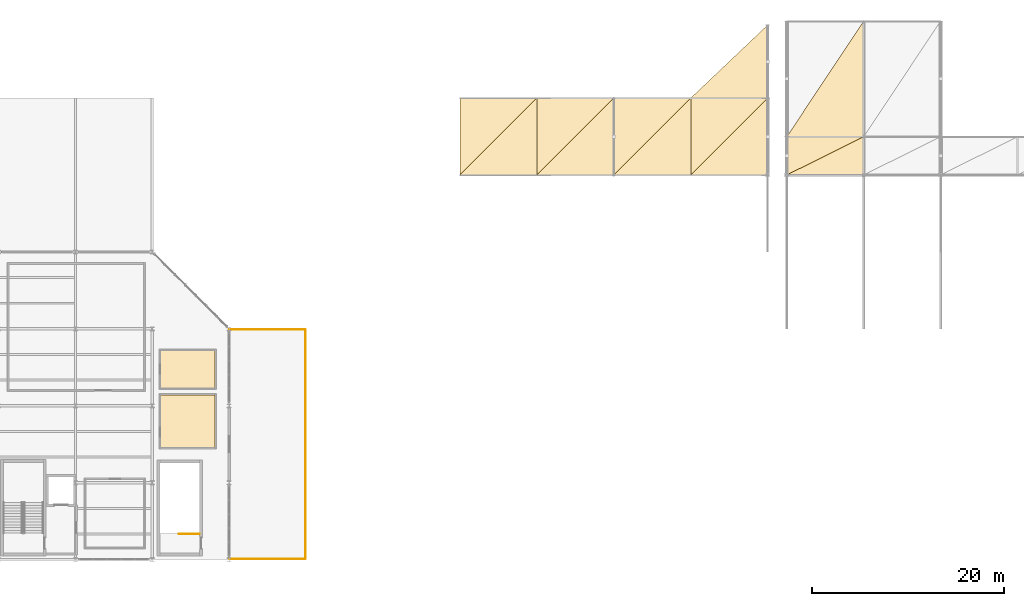
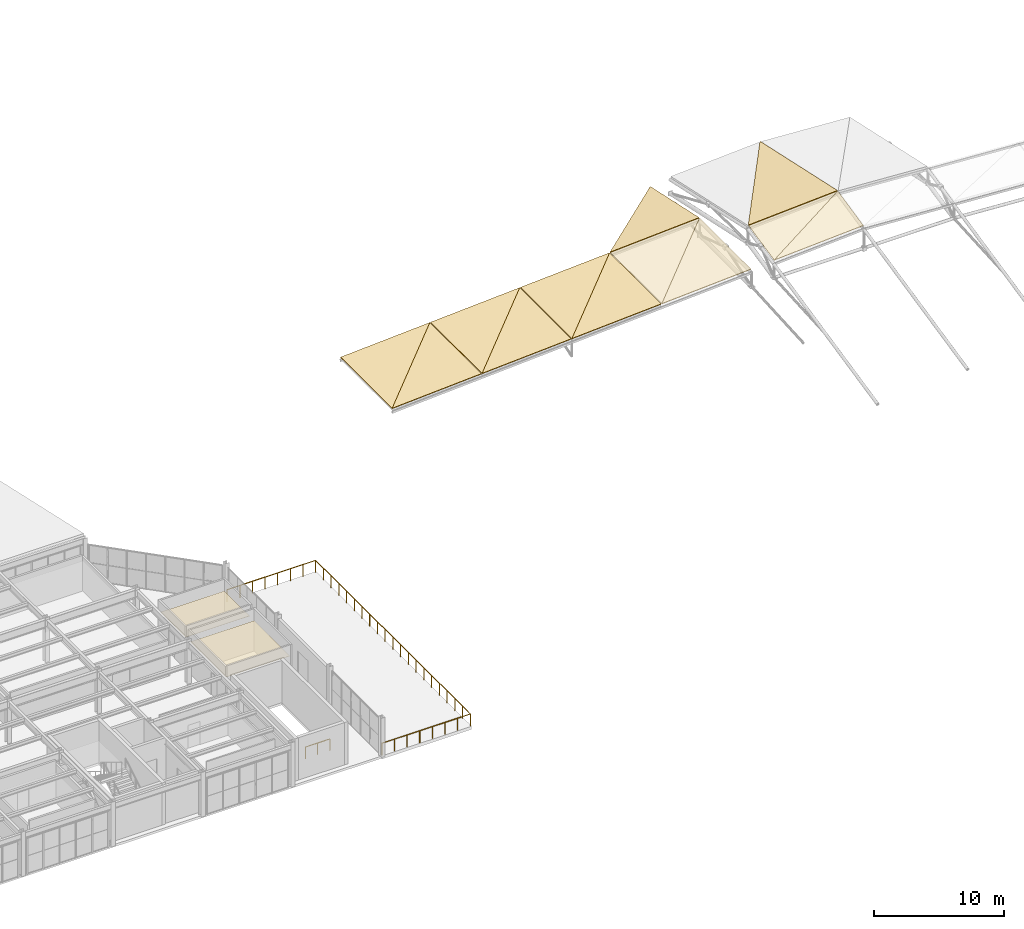
# One storey, part 27 of 27: 14 coverings, 2 railings, 1 element without a shape of its own.
"""IFC4 building model written with IfcOpenShell, lengths in metres."""

from ifc_helpers import new_model, si_unit, direction, frame, origin, origin_2d, place, context, subcontext, project, spatial, polyline, circle, outline, extrude, material, layer, layer_set, type_object, element, aggregate, save


model = new_model("IFC4")

# Units and contexts
model_context = context("Model", 3, precision=1e-05, world=origin(), true_north=direction((0.0, 1.0)))
body_context = subcontext(model_context, "Body", "Model", "MODEL_VIEW")
ifc_project = project(units=[si_unit("LENGTHUNIT", "METRE"), si_unit("AREAUNIT", "SQUARE_METRE"), si_unit("VOLUMEUNIT", "CUBIC_METRE"), si_unit("PLANEANGLEUNIT", "RADIAN"), si_unit("MASSUNIT", "GRAM", prefix="KILO")], contexts=[model_context])

# Site, building, storey
site_placement = place(None, origin())
site = spatial("IfcSite", under=ifc_project, at=site_placement, CompositionType="ELEMENT")
building_placement = place(site_placement, origin())
building = spatial("IfcBuilding", under=site, at=building_placement, Name="Drelvath Fold Interchange", CompositionType="ELEMENT")
storey_placement = place(building_placement, frame((0.0, 0.0, 19.800048828125)))
storey = spatial("IfcBuildingStorey", under=building, at=storey_placement, Name="L04", CompositionType="ELEMENT", Elevation=19.800048828125)

# Coverings
ifc_material_1 = material(Name="Perforated Aluminium Acoustic Ceiling", Category="aluminium")
ifc_layer_1 = layer(ifc_material_1, 0.02392578125, Name="Perforated Aluminium Acoustic Ceiling")
ifc_layer_set_1 = layer_set([ifc_layer_1], Name="Perforated Aluminium Acoustic Ceiling")
covering_type_1 = type_object("IfcCoveringType", Name="CV-CEIL-AL24", PredefinedType="CEILING", material=ifc_layer_set_1)
covering_1_placement = place(storey_placement, frame((0.0, 0.0, 2.829833984375)))
element("IfcCovering", 1, at=covering_1_placement, inside=storey, type_object=covering_type_1, Name="Incident Command Staff Washroom acoustic ceiling", PredefinedType="CEILING", context=body_context, shape_type="SweptSolid", body=[
    extrude(outline(polyline([(36.862060546875, 14.662109375), (42.5380859375, 14.662109375), (42.5380859375, 20.136962890625), (36.862060546875, 20.136962890625), (36.862060546875, 14.662109375)])), origin(), (0.0, 0.0, 1.0), 0.02001953125),
])
covering_2_placement = place(storey_placement, frame((0.0, 0.0, 2.829833984375)))
element("IfcCovering", 2, at=covering_2_placement, inside=storey, type_object=covering_type_1, Name="Incident Command Accessible WC acoustic ceiling", PredefinedType="CEILING", context=body_context, shape_type="SweptSolid", body=[
    extrude(outline(polyline([(36.862060546875, 20.863037109375), (42.5380859375, 20.863037109375), (42.5380859375, 24.738037109375), (36.862060546875, 24.738037109375), (36.862060546875, 20.863037109375)])), origin(), (0.0, 0.0, 1.0), 0.02001953125),
])

# Roof, coverings
ifc_material_2 = material(Name="Standing-Seam Acoustic Roof Assembly")
ifc_layer_2 = layer(ifc_material_2, 0.054931640625, Name="Standing-Seam Acoustic Roof Assembly")
ifc_layer_set_2 = layer_set([ifc_layer_2], Name="Standing-Seam Acoustic Roof Assembly")
roof_type = type_object("IfcRoofType", Name="ROOF-SF", PredefinedType="FREEFORM", material=ifc_layer_set_2)
roof_placement = place(storey_placement, origin())
roof = element("IfcRoof", 3, at=roof_placement, inside=storey, type_object=roof_type, Name="Roof assembly RF-ASM-SF-L04", PredefinedType="FREEFORM")
ifc_layer_3 = layer(ifc_material_2, 0.054931640625, Name="Standing-Seam Acoustic Roof Assembly")
ifc_layer_set_3 = layer_set([ifc_layer_3], Name="Standing-Seam Acoustic Roof Assembly")
covering_type_2 = type_object("IfcCoveringType", Name="CV-ROOF-SEAM", PredefinedType="ROOFING", material=ifc_layer_set_3)
covering_3_placement = place(storey_placement, frame((68.030029296875, 43.030029296875, 0.02294921875), z_axis=(-0.060096582196, 0.0, 0.998192566997), x_axis=(0.998192566997, 0.0, 0.060096582196)))
covering_3 = element("IfcCovering", 4, at=covering_3_placement, type_object=covering_type_2, Name="Standing-seam roof covering SL-RF-SF019", PredefinedType="ROOFING", context=body_context, shape_type="SweptSolid", body=[
    extrude(outline(polyline([(0.0, 0.0), (7.954318303667255, 0.0), (7.954318303667255, 7.93994140625), (0.0, 0.0)])), origin(), (0.0, 0.0, -1.0), 0.054931640625),
])
covering_4_placement = place(storey_placement, frame((68.030029296875, 43.030029296875, 0.02294921875), z_axis=(-0.060096582196, 0.0, 0.998192566997), x_axis=(0.706466890092, 0.706466890092, 0.042533121296)))
covering_4 = element("IfcCovering", 5, at=covering_4_placement, type_object=covering_type_2, Name="Standing-seam roof covering SL-RF-SF020", PredefinedType="ROOFING", context=body_context, shape_type="SweptSolid", body=[
    extrude(outline(polyline([(0.0, 0.0), (11.238943420568463, -3.3306690738754696e-16), (5.609305712786883, 5.6194625147944235), (0.0, 0.0)])), origin(), (0.0, 0.0, -1.0), 0.054931640625),
])
covering_5_placement = place(storey_placement, frame((76.030029296875, 43.030029296875, 0.5048828125), z_axis=(-0.059974252881, 0.0, 0.99819992436), x_axis=(0.99819992436, 0.0, 0.059974252881)))
covering_5 = element("IfcCovering", 6, at=covering_5_placement, type_object=covering_type_2, Name="Standing-seam roof covering SL-RF-SF027", PredefinedType="ROOFING", context=body_context, shape_type="SweptSolid", body=[
    extrude(outline(polyline([(0.0, 0.0), (7.954259675329594, 0.0), (7.954259675329594, 7.939941406250002), (0.0, 0.0)])), origin(), (0.0, 0.0, -1.0), 0.054931640625),
])
covering_6_placement = place(storey_placement, frame((76.030029296875, 43.030029296875, 0.5048828125), z_axis=(-0.059974252881, 0.0, 0.99819992436), x_axis=(0.70646949836, 0.70646949836, 0.042446387055)))
covering_6 = element("IfcCovering", 7, at=covering_6_placement, type_object=covering_type_2, Name="Standing-seam roof covering SL-RF-SF028", PredefinedType="ROOFING", context=body_context, shape_type="SweptSolid", body=[
    extrude(outline(polyline([(0.0, 0.0), (11.238901926667824, 3.0184188481996443e-16), (5.609326422281051, 5.619441842655096), (0.0, 0.0)])), origin(), (0.0, 0.0, -1.0), 0.054931640625),
])
covering_7_placement = place(storey_placement, frame((84.030029296875, 43.030029296875, 0.98583984375), z_axis=(-0.059974252881, 0.0, 0.99819992436), x_axis=(0.99819992436, 0.0, 0.059974252881)))
covering_7 = element("IfcCovering", 8, at=covering_7_placement, type_object=covering_type_2, Name="Standing-seam roof covering SL-RF-SF035", PredefinedType="ROOFING", context=body_context, shape_type="SweptSolid", body=[
    extrude(outline(polyline([(0.0, 0.0), (7.954259675329594, 0.0), (7.954259675329594, 7.939941406250002), (0.0, 0.0)])), origin(), (0.0, 0.0, -1.0), 0.054931640625),
])
covering_8_placement = place(storey_placement, frame((84.030029296875, 43.030029296875, 0.98583984375), z_axis=(-0.059974252881, 0.0, 0.99819992436), x_axis=(0.70646949836, 0.70646949836, 0.042446387055)))
covering_8 = element("IfcCovering", 9, at=covering_8_placement, type_object=covering_type_2, Name="Standing-seam roof covering SL-RF-SF036", PredefinedType="ROOFING", context=body_context, shape_type="SweptSolid", body=[
    extrude(outline(polyline([(0.0, 0.0), (11.238901926667824, 3.0184188481996443e-16), (5.609326422281051, 5.619441842655096), (0.0, 0.0)])), origin(), (0.0, 0.0, -1.0), 0.054931640625),
])
covering_9_placement = place(storey_placement, frame((92.030029296875, 43.030029296875, 1.467041015625), z_axis=(-0.05994367013, 0.0, 0.998201761375), x_axis=(0.998201761375, 0.0, 0.05994367013)))
covering_9 = element("IfcCovering", 10, at=covering_9_placement, type_object=covering_type_2, Name="Standing-seam roof covering SL-RF-SF043", PredefinedType="ROOFING", context=body_context, shape_type="SweptSolid", body=[
    extrude(outline(polyline([(0.0, 0.0), (7.954245036911256, 0.0), (7.954245036911256, 7.939941406250002), (0.0, 0.0)])), origin(), (0.0, 0.0, -1.0), 0.054931640625),
])
covering_10_placement = place(storey_placement, frame((92.030029296875, 43.030029296875, 1.467041015625), z_axis=(-0.05994367013, 0.0, 0.998201761375), x_axis=(0.706470149598, 0.706470149598, 0.042424703344)))
covering_10 = element("IfcCovering", 11, at=covering_10_placement, type_object=covering_type_2, Name="Standing-seam roof covering SL-RF-SF044", PredefinedType="ROOFING", context=body_context, shape_type="SweptSolid", body=[
    extrude(outline(polyline([(0.0, 0.0), (11.238891566427295, -3.2959746043559335e-16), (5.609331593073081, 5.619436681166134), (0.0, 0.0)])), origin(), (0.0, 0.0, -1.0), 0.054931640625),
])
covering_11_placement = place(storey_placement, frame((92.030029296875, 51.030029296875, 1.453857421875), z_axis=(-0.058603857189, 0.21254965672, 0.975391322163), x_axis=(0.99819992436, 0.0, 0.059974252881)))
covering_11 = element("IfcCovering", 12, at=covering_11_placement, type_object=covering_type_2, Name="Standing-seam roof covering SL-RF-SF045", PredefinedType="ROOFING", context=body_context, shape_type="SweptSolid", body=[
    extrude(outline(polyline([(0.0, 0.0), (7.954259675329594, 1.3877787807814457e-17), (7.855717995180749, 7.716355734195164), (0.0, 0.0)])), origin(), (0.0, 0.0, -1.0), 0.054931640625),
])
covering_12_placement = place(storey_placement, frame((102.030029296875, 43.030029296875, 2.06787109375), z_axis=(-0.058721650286, -0.212682798419, 0.975355214803), x_axis=(0.998192566997, 0.0, 0.060096582196)))
covering_12 = element("IfcCovering", 13, at=covering_12_placement, type_object=covering_type_2, Name="Standing-seam roof covering SL-RF-SF051", PredefinedType="ROOFING", context=body_context, shape_type="SweptSolid", body=[
    extrude(outline(polyline([(0.0, 0.0), (7.954318303667255, -1.3877787807814457e-17), (8.00594913197486, 4.032192750326047), (0.0, 0.0)])), origin(), (0.0, 0.0, -1.0), 0.054931640625),
])
covering_13_placement = place(storey_placement, frame((102.030029296875, 43.030029296875, 2.06787109375), z_axis=(-0.058721650286, -0.212682798419, 0.975355214803), x_axis=(0.885755969597, 0.439528006806, 0.149169345227)))
covering_13 = element("IfcCovering", 14, at=covering_13_placement, type_object=covering_type_2, Name="Standing-seam roof covering SL-RF-SF052", PredefinedType="ROOFING", context=body_context, shape_type="SweptSolid", body=[
    extrude(outline(polyline([(0.0, 0.0), (8.964028105687248, -2.7755575615628914e-17), (1.8598705809809757, 3.5780058049443046), (0.0, 0.0)])), origin(), (0.0, 0.0, -1.0), 0.054931640625),
])
covering_14_placement = place(storey_placement, frame((102.030029296875, 47.030029296875, 2.927001953125), z_axis=(-0.058722219103, 0.212639308762, 0.975364662756), x_axis=(0.998192566997, 0.0, 0.060096582196)))
covering_14 = element("IfcCovering", 15, at=covering_14_placement, type_object=covering_type_2, Name="Standing-seam roof covering SL-RF-SF053", PredefinedType="ROOFING", context=body_context, shape_type="SweptSolid", body=[
    extrude(outline(polyline([(0.0, 0.0), (7.954318303667255, 0.0), (7.797885256944979, 12.219389544444788), (0.0, 0.0)])), origin(), (0.0, 0.0, -1.0), 0.054931640625),
])
aggregate(roof, [covering_3, covering_4, covering_5, covering_6, covering_7, covering_8, covering_9, covering_10, covering_11, covering_12, covering_13, covering_14])

# Railings
ifc_material_3 = material(Name="Stainless Steel 316L", Category="steel")
railing_type_1 = type_object("IfcRailingType", Name="RL-GRD1100", PredefinedType="GUARDRAIL", material=ifc_material_3)
railing_1_placement = place(storey_placement, frame((40.89990234375, 5.64990234375, 0.0)))
element("IfcRailing", 16, at=railing_1_placement, inside=storey, type_object=railing_type_1, Name="L04 ST-04 top well guard 1", PredefinedType="GUARDRAIL", context=body_context, shape_type="SweptSolid", body=[
    extrude(circle(Radius=0.02392578125, at=origin_2d()), frame((0.0, 0.0, 1.076171875), z_axis=(-1.0, 0.0, 0.0), x_axis=(0.0, -1.0, 0.0)), (0.0, 0.0, 1.0), 2.14990234375),
    extrude(circle(Radius=0.02099609375, at=origin_2d()), origin(), (0.0, 0.0, 1.0), 1.052001953125),
    extrude(circle(Radius=0.02099609375, at=origin_2d()), frame((-1.074951171875, 0.0, 0.0)), (0.0, 0.0, 1.0), 1.052001953125),
    extrude(circle(Radius=0.02099609375, at=origin_2d()), frame((-2.14990234375, 0.0, 0.0)), (0.0, 0.0, 1.0), 1.052001953125),
])
railing_type_2 = type_object("IfcRailingType", Name="RL-GRD1150", PredefinedType="GUARDRAIL", material=ifc_material_3)
railing_2_placement = place(storey_placement, frame((44.050048828125, 3.080078125, 0.0)))
element("IfcRailing", 17, at=railing_2_placement, inside=storey, type_object=railing_type_2, Name="L04 outdoor terrace perimeter guard 5", PredefinedType="GUARDRAIL", context=body_context, shape_type="SweptSolid", body=[
    extrude(circle(Radius=0.02392578125, at=origin_2d()), frame((0.0, 0.0, 1.1259765625), z_axis=(1.0, 0.0, 0.0), x_axis=(0.0, 1.0, 0.0)), (0.0, 0.0, 1.0), 7.869873046875),
    extrude(circle(Radius=0.02392578125, at=origin_2d()), frame((7.869873046875, 0.0, 1.1259765625), z_axis=(0.0, 1.0, 0.0), x_axis=(-1.0, 0.0, 0.0)), (0.0, 0.0, 1.0), 23.83984375),
    extrude(circle(Radius=0.02392578125, at=origin_2d()), frame((7.869873046875, 23.83984375, 1.1259765625), z_axis=(-1.0, 0.0, 0.0), x_axis=(0.0, -1.0, 0.0)), (0.0, 0.0, 1.0), 7.869873046875),
    extrude(circle(Radius=0.02099609375, at=origin_2d()), origin(), (0.0, 0.0, 1.0), 1.101806640625),
    extrude(circle(Radius=0.02099609375, at=origin_2d()), frame((1.124267578125, 0.0, 0.0)), (0.0, 0.0, 1.0), 1.101806640625),
    extrude(circle(Radius=0.02099609375, at=origin_2d()), frame((2.24853515625, 0.0, 0.0)), (0.0, 0.0, 1.0), 1.101806640625),
    extrude(circle(Radius=0.02099609375, at=origin_2d()), frame((3.372802734375, 0.0, 0.0)), (0.0, 0.0, 1.0), 1.101806640625),
    extrude(circle(Radius=0.02099609375, at=origin_2d()), frame((4.4970703125, 0.0, 0.0)), (0.0, 0.0, 1.0), 1.101806640625),
    extrude(circle(Radius=0.02099609375, at=origin_2d()), frame((5.621337890625, 0.0, 0.0)), (0.0, 0.0, 1.0), 1.101806640625),
    extrude(circle(Radius=0.02099609375, at=origin_2d()), frame((6.74560546875, 0.0, 0.0)), (0.0, 0.0, 1.0), 1.101806640625),
    extrude(circle(Radius=0.02099609375, at=origin_2d()), frame((7.869873046875, 0.0, 0.0)), (0.0, 0.0, 1.0), 1.101806640625),
    extrude(circle(Radius=0.02099609375, at=origin_2d()), frame((7.869873046875, 1.19189453125, 0.0)), (0.0, 0.0, 1.0), 1.101806640625),
    extrude(circle(Radius=0.02099609375, at=origin_2d()), frame((7.869873046875, 2.384033203125, 0.0)), (0.0, 0.0, 1.0), 1.101806640625),
    extrude(circle(Radius=0.02099609375, at=origin_2d()), frame((7.869873046875, 3.575927734375, 0.0)), (0.0, 0.0, 1.0), 1.101806640625),
    extrude(circle(Radius=0.02099609375, at=origin_2d()), frame((7.869873046875, 4.76806640625, 0.0)), (0.0, 0.0, 1.0), 1.101806640625),
    extrude(circle(Radius=0.02099609375, at=origin_2d()), frame((7.869873046875, 5.9599609375, 0.0)), (0.0, 0.0, 1.0), 1.101806640625),
    extrude(circle(Radius=0.02099609375, at=origin_2d()), frame((7.869873046875, 7.15185546875, 0.0)), (0.0, 0.0, 1.0), 1.101806640625),
    extrude(circle(Radius=0.02099609375, at=origin_2d()), frame((7.869873046875, 8.343994140625, 0.0)), (0.0, 0.0, 1.0), 1.101806640625),
    extrude(circle(Radius=0.02099609375, at=origin_2d()), frame((7.869873046875, 9.535888671875, 0.0)), (0.0, 0.0, 1.0), 1.101806640625),
    extrude(circle(Radius=0.02099609375, at=origin_2d()), frame((7.869873046875, 10.72802734375, 0.0)), (0.0, 0.0, 1.0), 1.101806640625),
    extrude(circle(Radius=0.02099609375, at=origin_2d()), frame((7.869873046875, 11.919921875, 0.0)), (0.0, 0.0, 1.0), 1.101806640625),
    extrude(circle(Radius=0.02099609375, at=origin_2d()), frame((7.869873046875, 13.11181640625, 0.0)), (0.0, 0.0, 1.0), 1.101806640625),
    extrude(circle(Radius=0.02099609375, at=origin_2d()), frame((7.869873046875, 14.303955078125, 0.0)), (0.0, 0.0, 1.0), 1.101806640625),
    extrude(circle(Radius=0.02099609375, at=origin_2d()), frame((7.869873046875, 15.495849609375, 0.0)), (0.0, 0.0, 1.0), 1.101806640625),
    extrude(circle(Radius=0.02099609375, at=origin_2d()), frame((7.869873046875, 16.68798828125, 0.0)), (0.0, 0.0, 1.0), 1.101806640625),
    extrude(circle(Radius=0.02099609375, at=origin_2d()), frame((7.869873046875, 17.8798828125, 0.0)), (0.0, 0.0, 1.0), 1.101806640625),
    extrude(circle(Radius=0.02099609375, at=origin_2d()), frame((7.869873046875, 19.07177734375, 0.0)), (0.0, 0.0, 1.0), 1.101806640625),
    extrude(circle(Radius=0.02099609375, at=origin_2d()), frame((7.869873046875, 20.263916015625, 0.0)), (0.0, 0.0, 1.0), 1.101806640625),
    extrude(circle(Radius=0.02099609375, at=origin_2d()), frame((7.869873046875, 21.455810546875, 0.0)), (0.0, 0.0, 1.0), 1.101806640625),
    extrude(circle(Radius=0.02099609375, at=origin_2d()), frame((7.869873046875, 22.64794921875, 0.0)), (0.0, 0.0, 1.0), 1.101806640625),
    extrude(circle(Radius=0.02099609375, at=origin_2d()), frame((7.869873046875, 23.83984375, 0.0)), (0.0, 0.0, 1.0), 1.101806640625),
    extrude(circle(Radius=0.02099609375, at=origin_2d()), frame((6.74560546875, 23.83984375, 0.0)), (0.0, 0.0, 1.0), 1.101806640625),
    extrude(circle(Radius=0.02099609375, at=origin_2d()), frame((5.621337890625, 23.83984375, 0.0)), (0.0, 0.0, 1.0), 1.101806640625),
    extrude(circle(Radius=0.02099609375, at=origin_2d()), frame((4.4970703125, 23.83984375, 0.0)), (0.0, 0.0, 1.0), 1.101806640625),
    extrude(circle(Radius=0.02099609375, at=origin_2d()), frame((3.372802734375, 23.83984375, 0.0)), (0.0, 0.0, 1.0), 1.101806640625),
    extrude(circle(Radius=0.02099609375, at=origin_2d()), frame((2.24853515625, 23.83984375, 0.0)), (0.0, 0.0, 1.0), 1.101806640625),
    extrude(circle(Radius=0.02099609375, at=origin_2d()), frame((1.124267578125, 23.83984375, 0.0)), (0.0, 0.0, 1.0), 1.101806640625),
    extrude(circle(Radius=0.02099609375, at=origin_2d()), frame((0.0, 23.83984375, 0.0)), (0.0, 0.0, 1.0), 1.101806640625),
])

save(model, "model.ifc")
